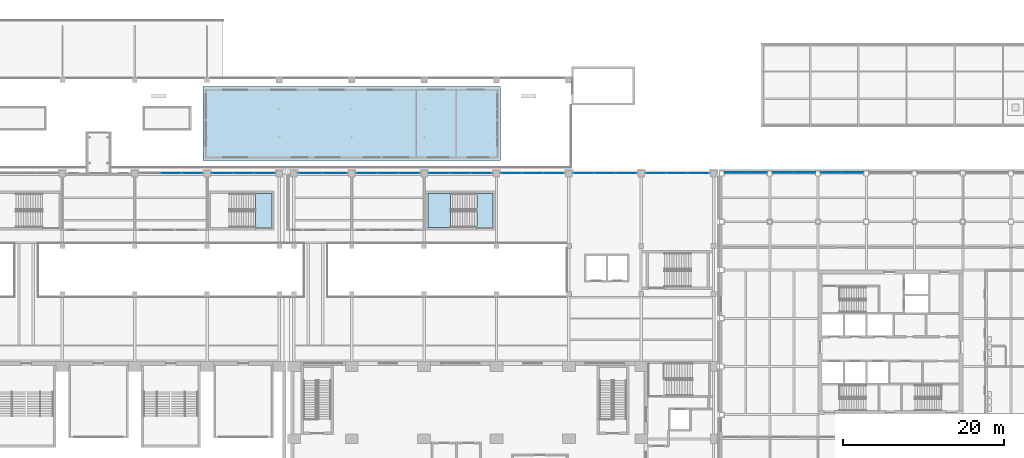
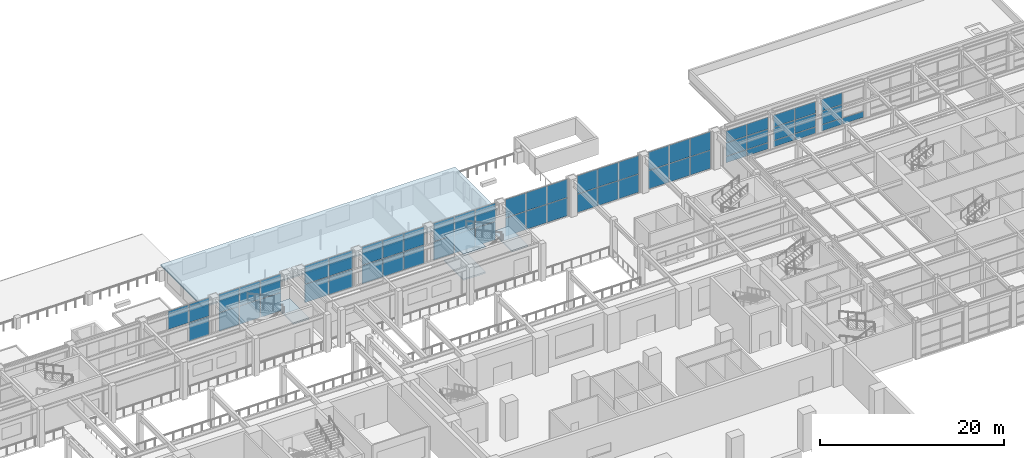
# One storey, part 32 of 67: 59 plates, 5 slabs, 13 elements without a shape of their own.
"""IFC4 building model written with IfcOpenShell, lengths in metres."""

from ifc_helpers import new_model, si_unit, direction, frame, origin, origin_2d, place, context, subcontext, project, spatial, polyline, rectangle, outline, extrude, material, layer, layer_set, type_object, element, aggregate, save


model = new_model("IFC4")

# Units and contexts
model_context = context("Model", 3, precision=1e-05, world=origin(), true_north=direction((0.0, 1.0)))
body_context = subcontext(model_context, "Body", "Model", "MODEL_VIEW")
ifc_project = project(units=[si_unit("LENGTHUNIT", "METRE"), si_unit("AREAUNIT", "SQUARE_METRE"), si_unit("VOLUMEUNIT", "CUBIC_METRE"), si_unit("PLANEANGLEUNIT", "RADIAN"), si_unit("MASSUNIT", "GRAM", prefix="KILO")], contexts=[model_context])

# Site, building, storey
site_placement = place(None, origin())
site = spatial("IfcSite", under=ifc_project, at=site_placement, CompositionType="ELEMENT")
building_placement = place(site_placement, origin())
building = spatial("IfcBuilding", under=site, at=building_placement, Name="Aravalli Gate Trade Fair Centre", CompositionType="ELEMENT")
storey_placement = place(building_placement, frame((0.0, 0.0, 5.0)))
storey = spatial("IfcBuildingStorey", under=building, at=storey_placement, Name="L01", CompositionType="ELEMENT", Elevation=5.0)

# Stair, slab
ifc_material_1 = material(Name="Concrete M30", Category="concrete")
stair_type = type_object("IfcStairType", Name="Concourse stair, 2000 wide", PredefinedType="HALF_TURN_STAIR", material=ifc_material_1)
stair_1_placement = place(storey_placement, origin())
stair_1 = element("IfcStair", 1, at=stair_1_placement, inside=storey, type_object=stair_type, Name="Stair XD L01", PredefinedType="HALF_TURN_STAIR")
ifc_layer_1 = layer(ifc_material_1, 0.199951171875)
ifc_layer_set_1 = layer_set([ifc_layer_1], Name="Concrete M30")
slab_type_1 = type_object("IfcSlabType", Name="Concourse stair landing 200", PredefinedType="LANDING", material=ifc_layer_set_1)
slab_1_placement = place(storey_placement, frame((0.0, 0.0, 3.13330078125)))
slab_1 = element("IfcSlab", 2, at=slab_1_placement, type_object=slab_type_1, Name="STXD-L01 landing 2", PredefinedType="LANDING", context=body_context, shape_type="SweptSolid", body=[
    extrude(outline(polyline([(102.050048828125, 126.300048828125), (104.050048828125, 126.300048828125), (104.050048828125, 130.5), (102.050048828125, 130.5), (102.050048828125, 126.300048828125)])), origin(), (0.0, 0.0, 1.0), 0.199951171875),
])
aggregate(stair_1, [slab_1])

# Stair, slabs
stair_2_placement = place(storey_placement, origin())
stair_2 = element("IfcStair", 3, at=stair_2_placement, inside=storey, type_object=stair_type, Name="Stair XE L01", PredefinedType="HALF_TURN_STAIR")
slab_2_placement = place(storey_placement, frame((0.0, 0.0, 1.466796875)))
slab_2 = element("IfcSlab", 4, at=slab_2_placement, type_object=slab_type_1, Name="STXE-L01 landing 1", PredefinedType="LANDING", context=body_context, shape_type="SweptSolid", body=[
    extrude(outline(polyline([(123.449951171875, 126.300048828125), (126.25, 126.300048828125), (126.25, 130.5), (123.449951171875, 130.5), (123.449951171875, 126.300048828125)])), origin(), (0.0, 0.0, 1.0), 0.199951171875),
])
slab_3_placement = place(storey_placement, frame((0.0, 0.0, 3.13330078125)))
slab_3 = element("IfcSlab", 5, at=slab_3_placement, type_object=slab_type_1, Name="STXE-L01 landing 2", PredefinedType="LANDING", context=body_context, shape_type="SweptSolid", body=[
    extrude(outline(polyline([(129.550048828125, 126.300048828125), (131.550048828125, 126.300048828125), (131.550048828125, 130.5), (129.550048828125, 130.5), (129.550048828125, 126.300048828125)])), origin(), (0.0, 0.0, 1.0), 0.199951171875),
])
slab_4_placement = place(storey_placement, frame((0.0, 0.0, 4.800048828125)))
slab_4 = element("IfcSlab", 6, at=slab_4_placement, type_object=slab_type_1, Name="STXE-L01 landing 3", PredefinedType="LANDING", context=body_context, shape_type="SweptSolid", body=[
    extrude(outline(polyline([(123.449951171875, 126.300048828125), (126.25, 126.300048828125), (126.25, 130.5), (123.449951171875, 130.5), (123.449951171875, 126.300048828125)])), origin(), (0.0, 0.0, 1.0), 0.199951171875),
])
aggregate(stair_2, [slab_2, slab_3, slab_4])

# Curtain wall, plates
ifc_material_2 = material(Name="Aluminium and glass", Category="aluminium")
curtain_wall_type_1 = type_object("IfcCurtainWallType", Name="Curtain wall 3000 module, tall", PredefinedType="NOTDEFINED", material=ifc_material_2)
curtain_wall_1_placement = place(storey_placement, origin())
curtain_wall_1 = element("IfcCurtainWall", 7, at=curtain_wall_1_placement, inside=storey, type_object=curtain_wall_type_1, Name="Curtain wall north bay 10 L01", PredefinedType="NOTDEFINED")
ifc_material_3 = material(Name="Glass, double glazed", Category="glass")
ifc_layer_2 = layer(ifc_material_3, 0.028076171875)
ifc_layer_set_2 = layer_set([ifc_layer_2], Name="Glass, double glazed")
plate_type_1 = type_object("IfcPlateType", Name="Curtain wall panel, double glazed 28", PredefinedType="CURTAIN_PANEL", material=ifc_layer_set_2)
plate_1_placement = place(storey_placement, frame((91.5, 133.044921875, 2.5302734375), z_axis=(0.0, 0.0, 1.0), x_axis=(1.0, 0.0, 0.0)))
plate_1 = element("IfcPlate", 8, at=plate_1_placement, type_object=plate_type_1, Name="CW3 panel 2.2", PredefinedType="CURTAIN_PANEL", context=body_context, shape_type="SweptSolid", body=[
    extrude(rectangle(XDim=2.5732421875, YDim=0.028076171875, at=origin_2d()), origin(), (0.0, 0.0, 1.0), 2.409912109375),
])
plate_2_placement = place(storey_placement, frame((94.118408203125, 133.044921875, 0.06005859375), z_axis=(0.0, 0.0, 1.0), x_axis=(1.0, 0.0, 0.0)))
plate_2 = element("IfcPlate", 9, at=plate_2_placement, type_object=plate_type_1, Name="CW3 panel 3.1", PredefinedType="CURTAIN_PANEL", context=body_context, shape_type="SweptSolid", body=[
    extrude(rectangle(XDim=2.543212890625, YDim=0.028076171875, at=origin_2d()), origin(), (0.0, 0.0, 1.0), 2.409912109375),
])
plate_3_placement = place(storey_placement, frame((94.118408203125, 133.044921875, 2.5302734375), z_axis=(0.0, 0.0, 1.0), x_axis=(1.0, 0.0, 0.0)))
plate_3 = element("IfcPlate", 10, at=plate_3_placement, type_object=plate_type_1, Name="CW3 panel 3.2", PredefinedType="CURTAIN_PANEL", context=body_context, shape_type="SweptSolid", body=[
    extrude(rectangle(XDim=2.543212890625, YDim=0.028076171875, at=origin_2d()), origin(), (0.0, 0.0, 1.0), 2.409912109375),
])
aggregate(curtain_wall_1, [plate_1, plate_2, plate_3])

curtain_wall_2_placement = place(storey_placement, origin())
curtain_wall_2 = element("IfcCurtainWall", 11, at=curtain_wall_2_placement, inside=storey, type_object=curtain_wall_type_1, Name="Curtain wall north bay 11 L01", PredefinedType="NOTDEFINED")
plate_4_placement = place(storey_placement, frame((97.881591796875, 133.044921875, 0.06005859375), z_axis=(0.0, 0.0, 1.0), x_axis=(1.0, 0.0, 0.0)))
plate_4 = element("IfcPlate", 12, at=plate_4_placement, type_object=plate_type_1, Name="CW3 panel 1.1", PredefinedType="CURTAIN_PANEL", context=body_context, shape_type="SweptSolid", body=[
    extrude(rectangle(XDim=2.543212890625, YDim=0.028076171875, at=origin_2d()), origin(), (0.0, 0.0, 1.0), 2.409912109375),
])
plate_5_placement = place(storey_placement, frame((97.881591796875, 133.044921875, 2.5302734375), z_axis=(0.0, 0.0, 1.0), x_axis=(1.0, 0.0, 0.0)))
plate_5 = element("IfcPlate", 13, at=plate_5_placement, type_object=plate_type_1, Name="CW3 panel 1.2", PredefinedType="CURTAIN_PANEL", context=body_context, shape_type="SweptSolid", body=[
    extrude(rectangle(XDim=2.543212890625, YDim=0.028076171875, at=origin_2d()), origin(), (0.0, 0.0, 1.0), 2.409912109375),
])
plate_6_placement = place(storey_placement, frame((100.5, 133.044921875, 0.06005859375), z_axis=(0.0, 0.0, 1.0), x_axis=(1.0, 0.0, 0.0)))
plate_6 = element("IfcPlate", 14, at=plate_6_placement, type_object=plate_type_1, Name="CW3 panel 2.1", PredefinedType="CURTAIN_PANEL", context=body_context, shape_type="SweptSolid", body=[
    extrude(rectangle(XDim=2.5732421875, YDim=0.028076171875, at=origin_2d()), origin(), (0.0, 0.0, 1.0), 2.409912109375),
])
plate_7_placement = place(storey_placement, frame((100.5, 133.044921875, 2.5302734375), z_axis=(0.0, 0.0, 1.0), x_axis=(1.0, 0.0, 0.0)))
plate_7 = element("IfcPlate", 15, at=plate_7_placement, type_object=plate_type_1, Name="CW3 panel 2.2", PredefinedType="CURTAIN_PANEL", context=body_context, shape_type="SweptSolid", body=[
    extrude(rectangle(XDim=2.5732421875, YDim=0.028076171875, at=origin_2d()), origin(), (0.0, 0.0, 1.0), 2.409912109375),
])
plate_8_placement = place(storey_placement, frame((103.118408203125, 133.044921875, 0.06005859375), z_axis=(0.0, 0.0, 1.0), x_axis=(1.0, 0.0, 0.0)))
plate_8 = element("IfcPlate", 16, at=plate_8_placement, type_object=plate_type_1, Name="CW3 panel 3.1", PredefinedType="CURTAIN_PANEL", context=body_context, shape_type="SweptSolid", body=[
    extrude(rectangle(XDim=2.543212890625, YDim=0.028076171875, at=origin_2d()), origin(), (0.0, 0.0, 1.0), 2.409912109375),
])
plate_9_placement = place(storey_placement, frame((103.118408203125, 133.044921875, 2.5302734375), z_axis=(0.0, 0.0, 1.0), x_axis=(1.0, 0.0, 0.0)))
plate_9 = element("IfcPlate", 17, at=plate_9_placement, type_object=plate_type_1, Name="CW3 panel 3.2", PredefinedType="CURTAIN_PANEL", context=body_context, shape_type="SweptSolid", body=[
    extrude(rectangle(XDim=2.543212890625, YDim=0.028076171875, at=origin_2d()), origin(), (0.0, 0.0, 1.0), 2.409912109375),
])
aggregate(curtain_wall_2, [plate_4, plate_5, plate_6, plate_7, plate_8, plate_9])

curtain_wall_3_placement = place(storey_placement, origin())
curtain_wall_3 = element("IfcCurtainWall", 18, at=curtain_wall_3_placement, inside=storey, type_object=curtain_wall_type_1, Name="Curtain wall north bay 13 L01", PredefinedType="NOTDEFINED")
plate_10_placement = place(storey_placement, frame((108.889892578125, 133.044921875, 0.06005859375), z_axis=(0.0, 0.0, 1.0), x_axis=(1.0, 0.0, 0.0)))
plate_10 = element("IfcPlate", 19, at=plate_10_placement, type_object=plate_type_1, Name="CW3 panel 1.1", PredefinedType="CURTAIN_PANEL", context=body_context, shape_type="SweptSolid", body=[
    extrude(rectangle(XDim=2.9599609375, YDim=0.028076171875, at=origin_2d()), origin(), (0.0, 0.0, 1.0), 2.409912109375),
])
plate_11_placement = place(storey_placement, frame((108.889892578125, 133.044921875, 2.5302734375), z_axis=(0.0, 0.0, 1.0), x_axis=(1.0, 0.0, 0.0)))
plate_11 = element("IfcPlate", 20, at=plate_11_placement, type_object=plate_type_1, Name="CW3 panel 1.2", PredefinedType="CURTAIN_PANEL", context=body_context, shape_type="SweptSolid", body=[
    extrude(rectangle(XDim=2.9599609375, YDim=0.028076171875, at=origin_2d()), origin(), (0.0, 0.0, 1.0), 2.409912109375),
])
plate_12_placement = place(storey_placement, frame((111.909912109375, 133.044921875, 0.06005859375), z_axis=(0.0, 0.0, 1.0), x_axis=(1.0, 0.0, 0.0)))
plate_12 = element("IfcPlate", 21, at=plate_12_placement, type_object=plate_type_1, Name="CW3 panel 2.1", PredefinedType="CURTAIN_PANEL", context=body_context, shape_type="SweptSolid", body=[
    extrude(rectangle(XDim=2.9599609375, YDim=0.028076171875, at=origin_2d()), origin(), (0.0, 0.0, 1.0), 2.409912109375),
])
plate_13_placement = place(storey_placement, frame((111.909912109375, 133.044921875, 2.5302734375), z_axis=(0.0, 0.0, 1.0), x_axis=(1.0, 0.0, 0.0)))
plate_13 = element("IfcPlate", 22, at=plate_13_placement, type_object=plate_type_1, Name="CW3 panel 2.2", PredefinedType="CURTAIN_PANEL", context=body_context, shape_type="SweptSolid", body=[
    extrude(rectangle(XDim=2.9599609375, YDim=0.028076171875, at=origin_2d()), origin(), (0.0, 0.0, 1.0), 2.409912109375),
])
aggregate(curtain_wall_3, [plate_10, plate_11, plate_12, plate_13])

curtain_wall_4_placement = place(storey_placement, origin())
curtain_wall_4 = element("IfcCurtainWall", 23, at=curtain_wall_4_placement, inside=storey, type_object=curtain_wall_type_1, Name="Curtain wall north bay 14 L01", PredefinedType="NOTDEFINED")
plate_14_placement = place(storey_placement, frame((115.881591796875, 133.044921875, 0.06005859375), z_axis=(0.0, 0.0, 1.0), x_axis=(1.0, 0.0, 0.0)))
plate_14 = element("IfcPlate", 24, at=plate_14_placement, type_object=plate_type_1, Name="CW3 panel 1.1", PredefinedType="CURTAIN_PANEL", context=body_context, shape_type="SweptSolid", body=[
    extrude(rectangle(XDim=2.543212890625, YDim=0.028076171875, at=origin_2d()), origin(), (0.0, 0.0, 1.0), 2.409912109375),
])
plate_15_placement = place(storey_placement, frame((115.881591796875, 133.044921875, 2.5302734375), z_axis=(0.0, 0.0, 1.0), x_axis=(1.0, 0.0, 0.0)))
plate_15 = element("IfcPlate", 25, at=plate_15_placement, type_object=plate_type_1, Name="CW3 panel 1.2", PredefinedType="CURTAIN_PANEL", context=body_context, shape_type="SweptSolid", body=[
    extrude(rectangle(XDim=2.543212890625, YDim=0.028076171875, at=origin_2d()), origin(), (0.0, 0.0, 1.0), 2.409912109375),
])
plate_16_placement = place(storey_placement, frame((118.5, 133.044921875, 0.06005859375), z_axis=(0.0, 0.0, 1.0), x_axis=(1.0, 0.0, 0.0)))
plate_16 = element("IfcPlate", 26, at=plate_16_placement, type_object=plate_type_1, Name="CW3 panel 2.1", PredefinedType="CURTAIN_PANEL", context=body_context, shape_type="SweptSolid", body=[
    extrude(rectangle(XDim=2.5732421875, YDim=0.028076171875, at=origin_2d()), origin(), (0.0, 0.0, 1.0), 2.409912109375),
])
plate_17_placement = place(storey_placement, frame((118.5, 133.044921875, 2.5302734375), z_axis=(0.0, 0.0, 1.0), x_axis=(1.0, 0.0, 0.0)))
plate_17 = element("IfcPlate", 27, at=plate_17_placement, type_object=plate_type_1, Name="CW3 panel 2.2", PredefinedType="CURTAIN_PANEL", context=body_context, shape_type="SweptSolid", body=[
    extrude(rectangle(XDim=2.5732421875, YDim=0.028076171875, at=origin_2d()), origin(), (0.0, 0.0, 1.0), 2.409912109375),
])
plate_18_placement = place(storey_placement, frame((121.118408203125, 133.044921875, 0.06005859375), z_axis=(0.0, 0.0, 1.0), x_axis=(1.0, 0.0, 0.0)))
plate_18 = element("IfcPlate", 28, at=plate_18_placement, type_object=plate_type_1, Name="CW3 panel 3.1", PredefinedType="CURTAIN_PANEL", context=body_context, shape_type="SweptSolid", body=[
    extrude(rectangle(XDim=2.543212890625, YDim=0.028076171875, at=origin_2d()), origin(), (0.0, 0.0, 1.0), 2.409912109375),
])
plate_19_placement = place(storey_placement, frame((121.118408203125, 133.044921875, 2.5302734375), z_axis=(0.0, 0.0, 1.0), x_axis=(1.0, 0.0, 0.0)))
plate_19 = element("IfcPlate", 29, at=plate_19_placement, type_object=plate_type_1, Name="CW3 panel 3.2", PredefinedType="CURTAIN_PANEL", context=body_context, shape_type="SweptSolid", body=[
    extrude(rectangle(XDim=2.543212890625, YDim=0.028076171875, at=origin_2d()), origin(), (0.0, 0.0, 1.0), 2.409912109375),
])
aggregate(curtain_wall_4, [plate_14, plate_15, plate_16, plate_17, plate_18, plate_19])

curtain_wall_5_placement = place(storey_placement, origin())
curtain_wall_5 = element("IfcCurtainWall", 30, at=curtain_wall_5_placement, inside=storey, type_object=curtain_wall_type_1, Name="Curtain wall north bay 15 L01", PredefinedType="NOTDEFINED")
plate_20_placement = place(storey_placement, frame((124.881591796875, 133.044921875, 0.06005859375), z_axis=(0.0, 0.0, 1.0), x_axis=(1.0, 0.0, 0.0)))
plate_20 = element("IfcPlate", 31, at=plate_20_placement, type_object=plate_type_1, Name="CW3 panel 1.1", PredefinedType="CURTAIN_PANEL", context=body_context, shape_type="SweptSolid", body=[
    extrude(rectangle(XDim=2.543212890625, YDim=0.028076171875, at=origin_2d()), origin(), (0.0, 0.0, 1.0), 2.409912109375),
])
plate_21_placement = place(storey_placement, frame((124.881591796875, 133.044921875, 2.5302734375), z_axis=(0.0, 0.0, 1.0), x_axis=(1.0, 0.0, 0.0)))
plate_21 = element("IfcPlate", 32, at=plate_21_placement, type_object=plate_type_1, Name="CW3 panel 1.2", PredefinedType="CURTAIN_PANEL", context=body_context, shape_type="SweptSolid", body=[
    extrude(rectangle(XDim=2.543212890625, YDim=0.028076171875, at=origin_2d()), origin(), (0.0, 0.0, 1.0), 2.409912109375),
])
plate_22_placement = place(storey_placement, frame((127.5, 133.044921875, 0.06005859375), z_axis=(0.0, 0.0, 1.0), x_axis=(1.0, 0.0, 0.0)))
plate_22 = element("IfcPlate", 33, at=plate_22_placement, type_object=plate_type_1, Name="CW3 panel 2.1", PredefinedType="CURTAIN_PANEL", context=body_context, shape_type="SweptSolid", body=[
    extrude(rectangle(XDim=2.5732421875, YDim=0.028076171875, at=origin_2d()), origin(), (0.0, 0.0, 1.0), 2.409912109375),
])
plate_23_placement = place(storey_placement, frame((127.5, 133.044921875, 2.5302734375), z_axis=(0.0, 0.0, 1.0), x_axis=(1.0, 0.0, 0.0)))
plate_23 = element("IfcPlate", 34, at=plate_23_placement, type_object=plate_type_1, Name="CW3 panel 2.2", PredefinedType="CURTAIN_PANEL", context=body_context, shape_type="SweptSolid", body=[
    extrude(rectangle(XDim=2.5732421875, YDim=0.028076171875, at=origin_2d()), origin(), (0.0, 0.0, 1.0), 2.409912109375),
])
plate_24_placement = place(storey_placement, frame((130.118408203125, 133.044921875, 0.06005859375), z_axis=(0.0, 0.0, 1.0), x_axis=(1.0, 0.0, 0.0)))
plate_24 = element("IfcPlate", 35, at=plate_24_placement, type_object=plate_type_1, Name="CW3 panel 3.1", PredefinedType="CURTAIN_PANEL", context=body_context, shape_type="SweptSolid", body=[
    extrude(rectangle(XDim=2.543212890625, YDim=0.028076171875, at=origin_2d()), origin(), (0.0, 0.0, 1.0), 2.409912109375),
])
plate_25_placement = place(storey_placement, frame((130.118408203125, 133.044921875, 2.5302734375), z_axis=(0.0, 0.0, 1.0), x_axis=(1.0, 0.0, 0.0)))
plate_25 = element("IfcPlate", 36, at=plate_25_placement, type_object=plate_type_1, Name="CW3 panel 3.2", PredefinedType="CURTAIN_PANEL", context=body_context, shape_type="SweptSolid", body=[
    extrude(rectangle(XDim=2.543212890625, YDim=0.028076171875, at=origin_2d()), origin(), (0.0, 0.0, 1.0), 2.409912109375),
])
aggregate(curtain_wall_5, [plate_20, plate_21, plate_22, plate_23, plate_24, plate_25])

curtain_wall_6_placement = place(storey_placement, origin())
curtain_wall_6 = element("IfcCurtainWall", 37, at=curtain_wall_6_placement, inside=storey, type_object=curtain_wall_type_1, Name="Curtain wall north bay 16 L01", PredefinedType="NOTDEFINED")
plate_26_placement = place(storey_placement, frame((133.881591796875, 133.044921875, 0.06005859375), z_axis=(0.0, 0.0, 1.0), x_axis=(1.0, 0.0, 0.0)))
plate_26 = element("IfcPlate", 38, at=plate_26_placement, type_object=plate_type_1, Name="CW3 panel 1.1", PredefinedType="CURTAIN_PANEL", context=body_context, shape_type="SweptSolid", body=[
    extrude(rectangle(XDim=2.543212890625, YDim=0.028076171875, at=origin_2d()), origin(), (0.0, 0.0, 1.0), 2.409912109375),
])
plate_27_placement = place(storey_placement, frame((133.881591796875, 133.044921875, 2.5302734375), z_axis=(0.0, 0.0, 1.0), x_axis=(1.0, 0.0, 0.0)))
plate_27 = element("IfcPlate", 39, at=plate_27_placement, type_object=plate_type_1, Name="CW3 panel 1.2", PredefinedType="CURTAIN_PANEL", context=body_context, shape_type="SweptSolid", body=[
    extrude(rectangle(XDim=2.543212890625, YDim=0.028076171875, at=origin_2d()), origin(), (0.0, 0.0, 1.0), 2.409912109375),
])
plate_28_placement = place(storey_placement, frame((136.5, 133.044921875, 0.06005859375), z_axis=(0.0, 0.0, 1.0), x_axis=(1.0, 0.0, 0.0)))
plate_28 = element("IfcPlate", 40, at=plate_28_placement, type_object=plate_type_1, Name="CW3 panel 2.1", PredefinedType="CURTAIN_PANEL", context=body_context, shape_type="SweptSolid", body=[
    extrude(rectangle(XDim=2.5732421875, YDim=0.028076171875, at=origin_2d()), origin(), (0.0, 0.0, 1.0), 2.409912109375),
])
plate_29_placement = place(storey_placement, frame((136.5, 133.044921875, 2.5302734375), z_axis=(0.0, 0.0, 1.0), x_axis=(1.0, 0.0, 0.0)))
plate_29 = element("IfcPlate", 41, at=plate_29_placement, type_object=plate_type_1, Name="CW3 panel 2.2", PredefinedType="CURTAIN_PANEL", context=body_context, shape_type="SweptSolid", body=[
    extrude(rectangle(XDim=2.5732421875, YDim=0.028076171875, at=origin_2d()), origin(), (0.0, 0.0, 1.0), 2.409912109375),
])
plate_30_placement = place(storey_placement, frame((139.118408203125, 133.044921875, 0.06005859375), z_axis=(0.0, 0.0, 1.0), x_axis=(1.0, 0.0, 0.0)))
plate_30 = element("IfcPlate", 42, at=plate_30_placement, type_object=plate_type_1, Name="CW3 panel 3.1", PredefinedType="CURTAIN_PANEL", context=body_context, shape_type="SweptSolid", body=[
    extrude(rectangle(XDim=2.543212890625, YDim=0.028076171875, at=origin_2d()), origin(), (0.0, 0.0, 1.0), 2.409912109375),
])
plate_31_placement = place(storey_placement, frame((139.118408203125, 133.044921875, 2.5302734375), z_axis=(0.0, 0.0, 1.0), x_axis=(1.0, 0.0, 0.0)))
plate_31 = element("IfcPlate", 43, at=plate_31_placement, type_object=plate_type_1, Name="CW3 panel 3.2", PredefinedType="CURTAIN_PANEL", context=body_context, shape_type="SweptSolid", body=[
    extrude(rectangle(XDim=2.543212890625, YDim=0.028076171875, at=origin_2d()), origin(), (0.0, 0.0, 1.0), 2.409912109375),
])
aggregate(curtain_wall_6, [plate_26, plate_27, plate_28, plate_29, plate_30, plate_31])

curtain_wall_7_placement = place(storey_placement, origin())
curtain_wall_7 = element("IfcCurtainWall", 44, at=curtain_wall_7_placement, inside=storey, type_object=curtain_wall_type_1, Name="Curtain wall north bay 17 L01", PredefinedType="NOTDEFINED")
plate_32_placement = place(storey_placement, frame((142.881591796875, 133.044921875, 0.06005859375), z_axis=(0.0, 0.0, 1.0), x_axis=(1.0, 0.0, 0.0)))
plate_32 = element("IfcPlate", 45, at=plate_32_placement, type_object=plate_type_1, Name="CW3 panel 1.1", PredefinedType="CURTAIN_PANEL", context=body_context, shape_type="SweptSolid", body=[
    extrude(rectangle(XDim=2.543212890625, YDim=0.028076171875, at=origin_2d()), origin(), (0.0, 0.0, 1.0), 2.409912109375),
])
plate_33_placement = place(storey_placement, frame((142.881591796875, 133.044921875, 2.5302734375), z_axis=(0.0, 0.0, 1.0), x_axis=(1.0, 0.0, 0.0)))
plate_33 = element("IfcPlate", 46, at=plate_33_placement, type_object=plate_type_1, Name="CW3 panel 1.2", PredefinedType="CURTAIN_PANEL", context=body_context, shape_type="SweptSolid", body=[
    extrude(rectangle(XDim=2.543212890625, YDim=0.028076171875, at=origin_2d()), origin(), (0.0, 0.0, 1.0), 2.409912109375),
])
plate_34_placement = place(storey_placement, frame((145.5, 133.044921875, 0.06005859375), z_axis=(0.0, 0.0, 1.0), x_axis=(1.0, 0.0, 0.0)))
plate_34 = element("IfcPlate", 47, at=plate_34_placement, type_object=plate_type_1, Name="CW3 panel 2.1", PredefinedType="CURTAIN_PANEL", context=body_context, shape_type="SweptSolid", body=[
    extrude(rectangle(XDim=2.5732421875, YDim=0.028076171875, at=origin_2d()), origin(), (0.0, 0.0, 1.0), 2.409912109375),
])
plate_35_placement = place(storey_placement, frame((145.5, 133.044921875, 2.5302734375), z_axis=(0.0, 0.0, 1.0), x_axis=(1.0, 0.0, 0.0)))
plate_35 = element("IfcPlate", 48, at=plate_35_placement, type_object=plate_type_1, Name="CW3 panel 2.2", PredefinedType="CURTAIN_PANEL", context=body_context, shape_type="SweptSolid", body=[
    extrude(rectangle(XDim=2.5732421875, YDim=0.028076171875, at=origin_2d()), origin(), (0.0, 0.0, 1.0), 2.409912109375),
])
plate_36_placement = place(storey_placement, frame((148.118408203125, 133.044921875, 0.06005859375), z_axis=(0.0, 0.0, 1.0), x_axis=(1.0, 0.0, 0.0)))
plate_36 = element("IfcPlate", 49, at=plate_36_placement, type_object=plate_type_1, Name="CW3 panel 3.1", PredefinedType="CURTAIN_PANEL", context=body_context, shape_type="SweptSolid", body=[
    extrude(rectangle(XDim=2.543212890625, YDim=0.028076171875, at=origin_2d()), origin(), (0.0, 0.0, 1.0), 2.409912109375),
])
plate_37_placement = place(storey_placement, frame((148.118408203125, 133.044921875, 2.5302734375), z_axis=(0.0, 0.0, 1.0), x_axis=(1.0, 0.0, 0.0)))
plate_37 = element("IfcPlate", 50, at=plate_37_placement, type_object=plate_type_1, Name="CW3 panel 3.2", PredefinedType="CURTAIN_PANEL", context=body_context, shape_type="SweptSolid", body=[
    extrude(rectangle(XDim=2.543212890625, YDim=0.028076171875, at=origin_2d()), origin(), (0.0, 0.0, 1.0), 2.409912109375),
])
aggregate(curtain_wall_7, [plate_32, plate_33, plate_34, plate_35, plate_36, plate_37])

curtain_wall_8_placement = place(storey_placement, origin())
curtain_wall_8 = element("IfcCurtainWall", 51, at=curtain_wall_8_placement, inside=storey, type_object=curtain_wall_type_1, Name="Curtain wall north bay 18 L01", PredefinedType="NOTDEFINED")
plate_38_placement = place(storey_placement, frame((151.881591796875, 133.044921875, 0.06005859375), z_axis=(0.0, 0.0, 1.0), x_axis=(1.0, 0.0, 0.0)))
plate_38 = element("IfcPlate", 52, at=plate_38_placement, type_object=plate_type_1, Name="CW3 panel 1.1", PredefinedType="CURTAIN_PANEL", context=body_context, shape_type="SweptSolid", body=[
    extrude(rectangle(XDim=2.543212890625, YDim=0.028076171875, at=origin_2d()), origin(), (0.0, 0.0, 1.0), 2.409912109375),
])
plate_39_placement = place(storey_placement, frame((151.881591796875, 133.044921875, 2.5302734375), z_axis=(0.0, 0.0, 1.0), x_axis=(1.0, 0.0, 0.0)))
plate_39 = element("IfcPlate", 53, at=plate_39_placement, type_object=plate_type_1, Name="CW3 panel 1.2", PredefinedType="CURTAIN_PANEL", context=body_context, shape_type="SweptSolid", body=[
    extrude(rectangle(XDim=2.543212890625, YDim=0.028076171875, at=origin_2d()), origin(), (0.0, 0.0, 1.0), 2.409912109375),
])
plate_40_placement = place(storey_placement, frame((154.5, 133.044921875, 0.06005859375), z_axis=(0.0, 0.0, 1.0), x_axis=(1.0, 0.0, 0.0)))
plate_40 = element("IfcPlate", 54, at=plate_40_placement, type_object=plate_type_1, Name="CW3 panel 2.1", PredefinedType="CURTAIN_PANEL", context=body_context, shape_type="SweptSolid", body=[
    extrude(rectangle(XDim=2.5732421875, YDim=0.028076171875, at=origin_2d()), origin(), (0.0, 0.0, 1.0), 2.409912109375),
])
plate_41_placement = place(storey_placement, frame((154.5, 133.044921875, 2.5302734375), z_axis=(0.0, 0.0, 1.0), x_axis=(1.0, 0.0, 0.0)))
plate_41 = element("IfcPlate", 55, at=plate_41_placement, type_object=plate_type_1, Name="CW3 panel 2.2", PredefinedType="CURTAIN_PANEL", context=body_context, shape_type="SweptSolid", body=[
    extrude(rectangle(XDim=2.5732421875, YDim=0.028076171875, at=origin_2d()), origin(), (0.0, 0.0, 1.0), 2.409912109375),
])
plate_42_placement = place(storey_placement, frame((157.118408203125, 133.044921875, 0.06005859375), z_axis=(0.0, 0.0, 1.0), x_axis=(1.0, 0.0, 0.0)))
plate_42 = element("IfcPlate", 56, at=plate_42_placement, type_object=plate_type_1, Name="CW3 panel 3.1", PredefinedType="CURTAIN_PANEL", context=body_context, shape_type="SweptSolid", body=[
    extrude(rectangle(XDim=2.543212890625, YDim=0.028076171875, at=origin_2d()), origin(), (0.0, 0.0, 1.0), 2.409912109375),
])
plate_43_placement = place(storey_placement, frame((157.118408203125, 133.044921875, 2.5302734375), z_axis=(0.0, 0.0, 1.0), x_axis=(1.0, 0.0, 0.0)))
plate_43 = element("IfcPlate", 57, at=plate_43_placement, type_object=plate_type_1, Name="CW3 panel 3.2", PredefinedType="CURTAIN_PANEL", context=body_context, shape_type="SweptSolid", body=[
    extrude(rectangle(XDim=2.543212890625, YDim=0.028076171875, at=origin_2d()), origin(), (0.0, 0.0, 1.0), 2.409912109375),
])
aggregate(curtain_wall_8, [plate_38, plate_39, plate_40, plate_41, plate_42, plate_43])

# Slab
ifc_layer_3 = layer(ifc_material_1, 0.169921875, Name="Concrete topping")
ifc_material_4 = material(Name="Steel E350", Category="steel")
ifc_layer_4 = layer(ifc_material_4, 0.030029296875, Name="Profiled deck sheet")
ifc_layer_set_3 = layer_set([ifc_layer_3, ifc_layer_4], Name="Terrace roof deck 200")
slab_type_2 = type_object("IfcSlabType", Name="Terrace roof deck 200", PredefinedType="ROOF", material=ifc_layer_set_3)
slab_5_placement = place(storey_placement, frame((0.0, 0.0, 2.60009765625)))
element("IfcSlab", 58, at=slab_5_placement, inside=storey, type_object=slab_type_2, Name="Terrace pavilion roof", PredefinedType="ROOF", context=body_context, shape_type="SweptSolid", body=[
    extrude(outline(polyline([(132.5, 134.60009765625), (132.5, 143.800048828125), (95.5, 143.800048828125), (95.5, 134.60009765625), (132.5, 134.60009765625)])), origin(), (0.0, 0.0, 1.0), 0.199951171875),
])

# Curtain wall, plates
curtain_wall_type_2 = type_object("IfcCurtainWallType", Name="Wing curtain wall", PredefinedType="NOTDEFINED", material=ifc_material_2)
curtain_wall_9_placement = place(storey_placement, origin())
curtain_wall_9 = element("IfcCurtainWall", 59, at=curtain_wall_9_placement, inside=storey, type_object=curtain_wall_type_2, Name="Curtain wall N0 L01", PredefinedType="NOTDEFINED")
ifc_material_5 = material(Name="Glass", Category="glass")
ifc_layer_5 = layer(ifc_material_5, 0.028076171875)
ifc_layer_set_4 = layer_set([ifc_layer_5], Name="Glass")
plate_type_2 = type_object("IfcPlateType", Name="Wing curtain wall glazing panel 28", PredefinedType="CURTAIN_PANEL", material=ifc_layer_set_4)
plate_44_placement = place(storey_placement, frame((161.6650390625, 133.125, 0.06005859375), z_axis=(0.0, 0.0, 1.0), x_axis=(1.0, 0.0, 0.0)))
plate_44 = element("IfcPlate", 60, at=plate_44_placement, type_object=plate_type_2, Name="TCW1 panel 1.1", PredefinedType="CURTAIN_PANEL", context=body_context, shape_type="SweptSolid", body=[
    extrude(rectangle(XDim=2.610107421875, YDim=0.028076171875, at=origin_2d()), origin(), (0.0, 0.0, 1.0), 0.81005859375),
])
plate_45_placement = place(storey_placement, frame((161.6650390625, 133.125, 0.93017578125), z_axis=(0.0, 0.0, 1.0), x_axis=(1.0, 0.0, 0.0)))
plate_45 = element("IfcPlate", 61, at=plate_45_placement, type_object=plate_type_2, Name="TCW1 panel 1.2", PredefinedType="CURTAIN_PANEL", context=body_context, shape_type="SweptSolid", body=[
    extrude(rectangle(XDim=2.610107421875, YDim=0.028076171875, at=origin_2d()), origin(), (0.0, 0.0, 1.0), 1.739990234375),
])
plate_46_placement = place(storey_placement, frame((161.6650390625, 133.125, 2.72998046875), z_axis=(0.0, 0.0, 1.0), x_axis=(1.0, 0.0, 0.0)))
plate_46 = element("IfcPlate", 62, at=plate_46_placement, type_object=plate_type_2, Name="TCW1 panel 1.3", PredefinedType="CURTAIN_PANEL", context=body_context, shape_type="SweptSolid", body=[
    extrude(rectangle(XDim=2.610107421875, YDim=0.028076171875, at=origin_2d()), origin(), (0.0, 0.0, 1.0), 1.56005859375),
])
plate_47_placement = place(storey_placement, frame((164.3349609375, 133.125, 0.06005859375), z_axis=(0.0, 0.0, 1.0), x_axis=(1.0, 0.0, 0.0)))
plate_47 = element("IfcPlate", 63, at=plate_47_placement, type_object=plate_type_2, Name="TCW1 panel 2.1", PredefinedType="CURTAIN_PANEL", context=body_context, shape_type="SweptSolid", body=[
    extrude(rectangle(XDim=2.610107421875, YDim=0.028076171875, at=origin_2d()), origin(), (0.0, 0.0, 1.0), 0.81005859375),
])
plate_48_placement = place(storey_placement, frame((164.3349609375, 133.125, 0.93017578125), z_axis=(0.0, 0.0, 1.0), x_axis=(1.0, 0.0, 0.0)))
plate_48 = element("IfcPlate", 64, at=plate_48_placement, type_object=plate_type_2, Name="TCW1 panel 2.2", PredefinedType="CURTAIN_PANEL", context=body_context, shape_type="SweptSolid", body=[
    extrude(rectangle(XDim=2.610107421875, YDim=0.028076171875, at=origin_2d()), origin(), (0.0, 0.0, 1.0), 1.739990234375),
])
plate_49_placement = place(storey_placement, frame((164.3349609375, 133.125, 2.72998046875), z_axis=(0.0, 0.0, 1.0), x_axis=(1.0, 0.0, 0.0)))
plate_49 = element("IfcPlate", 65, at=plate_49_placement, type_object=plate_type_2, Name="TCW1 panel 2.3", PredefinedType="CURTAIN_PANEL", context=body_context, shape_type="SweptSolid", body=[
    extrude(rectangle(XDim=2.610107421875, YDim=0.028076171875, at=origin_2d()), origin(), (0.0, 0.0, 1.0), 1.56005859375),
])
aggregate(curtain_wall_9, [plate_44, plate_45, plate_46, plate_47, plate_48, plate_49])

curtain_wall_10_placement = place(storey_placement, origin())
curtain_wall_10 = element("IfcCurtainWall", 66, at=curtain_wall_10_placement, inside=storey, type_object=curtain_wall_type_2, Name="Curtain wall N1 L01", PredefinedType="NOTDEFINED")
plate_50_placement = place(storey_placement, frame((167.6650390625, 133.125, 0.06005859375), z_axis=(0.0, 0.0, 1.0), x_axis=(1.0, 0.0, 0.0)))
plate_50 = element("IfcPlate", 67, at=plate_50_placement, type_object=plate_type_2, Name="TCW1 panel 1.1", PredefinedType="CURTAIN_PANEL", context=body_context, shape_type="SweptSolid", body=[
    extrude(rectangle(XDim=2.610107421875, YDim=0.028076171875, at=origin_2d()), origin(), (0.0, 0.0, 1.0), 0.81005859375),
])
plate_51_placement = place(storey_placement, frame((167.6650390625, 133.125, 0.93017578125), z_axis=(0.0, 0.0, 1.0), x_axis=(1.0, 0.0, 0.0)))
plate_51 = element("IfcPlate", 68, at=plate_51_placement, type_object=plate_type_2, Name="TCW1 panel 1.2", PredefinedType="CURTAIN_PANEL", context=body_context, shape_type="SweptSolid", body=[
    extrude(rectangle(XDim=2.610107421875, YDim=0.028076171875, at=origin_2d()), origin(), (0.0, 0.0, 1.0), 1.739990234375),
])
plate_52_placement = place(storey_placement, frame((167.6650390625, 133.125, 2.72998046875), z_axis=(0.0, 0.0, 1.0), x_axis=(1.0, 0.0, 0.0)))
plate_52 = element("IfcPlate", 69, at=plate_52_placement, type_object=plate_type_2, Name="TCW1 panel 1.3", PredefinedType="CURTAIN_PANEL", context=body_context, shape_type="SweptSolid", body=[
    extrude(rectangle(XDim=2.610107421875, YDim=0.028076171875, at=origin_2d()), origin(), (0.0, 0.0, 1.0), 1.56005859375),
])
plate_53_placement = place(storey_placement, frame((170.3349609375, 133.125, 0.06005859375), z_axis=(0.0, 0.0, 1.0), x_axis=(1.0, 0.0, 0.0)))
plate_53 = element("IfcPlate", 70, at=plate_53_placement, type_object=plate_type_2, Name="TCW1 panel 2.1", PredefinedType="CURTAIN_PANEL", context=body_context, shape_type="SweptSolid", body=[
    extrude(rectangle(XDim=2.610107421875, YDim=0.028076171875, at=origin_2d()), origin(), (0.0, 0.0, 1.0), 0.81005859375),
])
plate_54_placement = place(storey_placement, frame((170.3349609375, 133.125, 0.93017578125), z_axis=(0.0, 0.0, 1.0), x_axis=(1.0, 0.0, 0.0)))
plate_54 = element("IfcPlate", 71, at=plate_54_placement, type_object=plate_type_2, Name="TCW1 panel 2.2", PredefinedType="CURTAIN_PANEL", context=body_context, shape_type="SweptSolid", body=[
    extrude(rectangle(XDim=2.610107421875, YDim=0.028076171875, at=origin_2d()), origin(), (0.0, 0.0, 1.0), 1.739990234375),
])
plate_55_placement = place(storey_placement, frame((170.3349609375, 133.125, 2.72998046875), z_axis=(0.0, 0.0, 1.0), x_axis=(1.0, 0.0, 0.0)))
plate_55 = element("IfcPlate", 72, at=plate_55_placement, type_object=plate_type_2, Name="TCW1 panel 2.3", PredefinedType="CURTAIN_PANEL", context=body_context, shape_type="SweptSolid", body=[
    extrude(rectangle(XDim=2.610107421875, YDim=0.028076171875, at=origin_2d()), origin(), (0.0, 0.0, 1.0), 1.56005859375),
])
aggregate(curtain_wall_10, [plate_50, plate_51, plate_52, plate_53, plate_54, plate_55])

curtain_wall_11_placement = place(storey_placement, origin())
curtain_wall_11 = element("IfcCurtainWall", 73, at=curtain_wall_11_placement, inside=storey, type_object=curtain_wall_type_2, Name="Curtain wall N2 L01", PredefinedType="NOTDEFINED")
plate_56_placement = place(storey_placement, frame((173.6650390625, 133.125, 0.06005859375), z_axis=(0.0, 0.0, 1.0), x_axis=(1.0, 0.0, 0.0)))
plate_56 = element("IfcPlate", 74, at=plate_56_placement, type_object=plate_type_2, Name="TCW1 panel 1.1", PredefinedType="CURTAIN_PANEL", context=body_context, shape_type="SweptSolid", body=[
    extrude(rectangle(XDim=2.610107421875, YDim=0.028076171875, at=origin_2d()), origin(), (0.0, 0.0, 1.0), 0.81005859375),
])
plate_57_placement = place(storey_placement, frame((173.6650390625, 133.125, 0.93017578125), z_axis=(0.0, 0.0, 1.0), x_axis=(1.0, 0.0, 0.0)))
plate_57 = element("IfcPlate", 75, at=plate_57_placement, type_object=plate_type_2, Name="TCW1 panel 1.2", PredefinedType="CURTAIN_PANEL", context=body_context, shape_type="SweptSolid", body=[
    extrude(rectangle(XDim=2.610107421875, YDim=0.028076171875, at=origin_2d()), origin(), (0.0, 0.0, 1.0), 1.739990234375),
])
plate_58_placement = place(storey_placement, frame((173.6650390625, 133.125, 2.72998046875), z_axis=(0.0, 0.0, 1.0), x_axis=(1.0, 0.0, 0.0)))
plate_58 = element("IfcPlate", 76, at=plate_58_placement, type_object=plate_type_2, Name="TCW1 panel 1.3", PredefinedType="CURTAIN_PANEL", context=body_context, shape_type="SweptSolid", body=[
    extrude(rectangle(XDim=2.610107421875, YDim=0.028076171875, at=origin_2d()), origin(), (0.0, 0.0, 1.0), 1.56005859375),
])
plate_59_placement = place(storey_placement, frame((176.3349609375, 133.125, 0.06005859375), z_axis=(0.0, 0.0, 1.0), x_axis=(1.0, 0.0, 0.0)))
plate_59 = element("IfcPlate", 77, at=plate_59_placement, type_object=plate_type_2, Name="TCW1 panel 2.1", PredefinedType="CURTAIN_PANEL", context=body_context, shape_type="SweptSolid", body=[
    extrude(rectangle(XDim=2.610107421875, YDim=0.028076171875, at=origin_2d()), origin(), (0.0, 0.0, 1.0), 0.81005859375),
])
aggregate(curtain_wall_11, [plate_56, plate_57, plate_58, plate_59])

save(model, "model.ifc")
